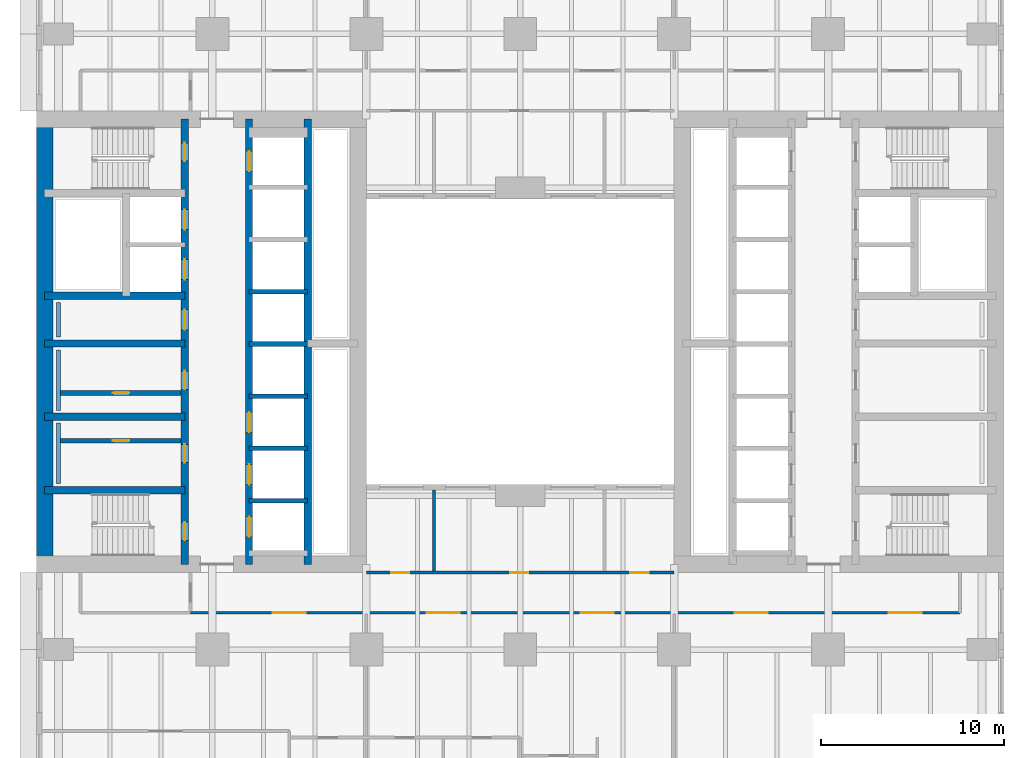
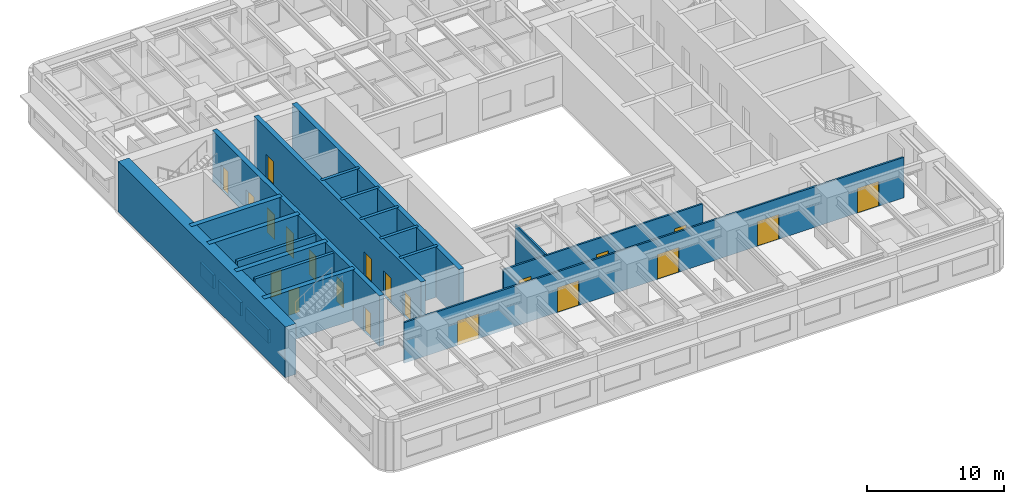
# One storey, part 4 of 13: 21 doors, 21 walls, 21 openings.
"""IFC4 building model written with IfcOpenShell, lengths in metres."""

from ifc_helpers import new_model, si_unit, direction, frame, frame_2d, origin, place, context, subcontext, project, spatial, rectangle, extrude, material, layer, layer_set, type_object, element, fill, save


model = new_model("IFC4")

# Units and contexts
model_context = context("Model", 3, precision=1e-05, world=origin(), true_north=direction((0.0, 1.0)))
body_context = subcontext(model_context, "Body", "Model", "MODEL_VIEW")
ifc_project = project(units=[si_unit("LENGTHUNIT", "METRE"), si_unit("AREAUNIT", "SQUARE_METRE"), si_unit("VOLUMEUNIT", "CUBIC_METRE"), si_unit("PLANEANGLEUNIT", "RADIAN"), si_unit("MASSUNIT", "GRAM", prefix="KILO")], contexts=[model_context])

# Site, building, storey
site_placement = place(None, origin())
site = spatial("IfcSite", under=ifc_project, at=site_placement, CompositionType="ELEMENT")
building_placement = place(site_placement, origin())
building = spatial("IfcBuilding", under=site, at=building_placement, Name="Claustro Exchange Tower", CompositionType="ELEMENT")
storey_placement = place(building_placement, frame((0.0, 0.0, 86.39990234375)))
storey = spatial("IfcBuildingStorey", under=building, at=storey_placement, Name="L19", CompositionType="ELEMENT", Elevation=86.39990234375)

# Wall, openings, doors
ifc_material_1 = material(Name="Gypsum board on steel studs", Category="steel")
ifc_layer_1 = layer(ifc_material_1, 0.14990234375)
ifc_layer_set_1 = layer_set([ifc_layer_1], Name="Gypsum board on steel studs")
wall_type_1 = type_object("IfcWallType", Name="P1 150 plasterboard partition", PredefinedType="PARTITIONING", material=ifc_layer_set_1)
wall_1_placement = place(storey_placement, frame((7.197998046875, 10.39990234375, 0.0), z_axis=(0.0, 0.0, 1.0), x_axis=(1.0, 0.0, 0.0)))
wall_1 = element("IfcWall", 1, at=wall_1_placement, inside=storey, type_object=wall_type_1, Name="Partition P1 L19", PredefinedType="PARTITIONING", context=body_context, shape_type="SweptSolid", body=[
    extrude(rectangle(XDim=42.001953125, YDim=0.14990234375, at=frame_2d((21.0009765625, 0.0))), origin(), (0.0, 0.0, 1.0), 3.60009765625),
])
opening_1_placement = place(wall_1_placement, frame((4.501953125, 0.0, 0.0)))
opening_1 = element("IfcOpeningElement", 2, at=opening_1_placement, cuts=wall_1, Name="Opening D2", PredefinedType="OPENING", context=body_context, shape_type="SweptSolid", body=[
    extrude(rectangle(XDim=1.800048828125, YDim=2.199951171875, at=frame_2d((0.89990234375, 1.10009765625))), frame((0.0, 0.0849609375, 0.0), z_axis=(0.0, -1.0, 0.0), x_axis=(1.0, 0.0, 0.0)), (0.0, 0.0, 1.0), 0.169921875),
])
opening_2_placement = place(wall_1_placement, frame((12.902099609375, 0.0, 0.0)))
opening_2 = element("IfcOpeningElement", 3, at=opening_2_placement, cuts=wall_1, Name="Opening D2", PredefinedType="OPENING", context=body_context, shape_type="SweptSolid", body=[
    extrude(rectangle(XDim=1.800048828125, YDim=2.199951171875, at=frame_2d((0.89990234375, 1.10009765625))), frame((0.0, 0.0849609375, 0.0), z_axis=(0.0, -1.0, 0.0), x_axis=(1.0, 0.0, 0.0)), (0.0, 0.0, 1.0), 0.169921875),
])
opening_3_placement = place(wall_1_placement, frame((21.302001953125, 0.0, 0.0)))
opening_3 = element("IfcOpeningElement", 4, at=opening_3_placement, cuts=wall_1, Name="Opening D2", PredefinedType="OPENING", context=body_context, shape_type="SweptSolid", body=[
    extrude(rectangle(XDim=1.800048828125, YDim=2.199951171875, at=frame_2d((0.89990234375, 1.10009765625))), frame((0.0, 0.0849609375, 0.0), z_axis=(0.0, -1.0, 0.0), x_axis=(1.0, 0.0, 0.0)), (0.0, 0.0, 1.0), 0.169921875),
])
opening_4_placement = place(wall_1_placement, frame((29.701904296875, 0.0, 0.0)))
opening_4 = element("IfcOpeningElement", 5, at=opening_4_placement, cuts=wall_1, Name="Opening D2", PredefinedType="OPENING", context=body_context, shape_type="SweptSolid", body=[
    extrude(rectangle(XDim=1.800048828125, YDim=2.199951171875, at=frame_2d((0.89990234375, 1.10009765625))), frame((0.0, 0.0849609375, 0.0), z_axis=(0.0, -1.0, 0.0), x_axis=(1.0, 0.0, 0.0)), (0.0, 0.0, 1.0), 0.169921875),
])
opening_5_placement = place(wall_1_placement, frame((38.10205078125, 0.0, 0.0)))
opening_5 = element("IfcOpeningElement", 6, at=opening_5_placement, cuts=wall_1, Name="Opening D2", PredefinedType="OPENING", context=body_context, shape_type="SweptSolid", body=[
    extrude(rectangle(XDim=1.800048828125, YDim=2.199951171875, at=frame_2d((0.89990234375, 1.10009765625))), frame((0.0, 0.0849609375, 0.0), z_axis=(0.0, -1.0, 0.0), x_axis=(1.0, 0.0, 0.0)), (0.0, 0.0, 1.0), 0.169921875),
])
ifc_material_2 = material(Name="Timber door, oak veneer", Category="wood")
door_type_1 = type_object("IfcDoorType", Name="D2 1800 x 2200 double door", OperationType="DOUBLE_DOOR_SINGLE_SWING", PredefinedType="DOOR", material=ifc_material_2)
door_1_placement = place(opening_1_placement, frame((1.800048828125, 0.0, 0.0), z_axis=(0.0, 0.0, 1.0), x_axis=(-1.0, 0.0, 0.0)))
door_1 = element("IfcDoor", 7, at=door_1_placement, inside=storey, type_object=door_type_1, Name="Double door D2 L19", OperationType="DOUBLE_DOOR_SINGLE_SWING", OverallHeight=2.199951171875, OverallWidth=1.800048828125, PredefinedType="DOOR", context=body_context, shape_type="SweptSolid", body=[
    extrude(rectangle(XDim=1.800048828125, YDim=2.199951171875, at=frame_2d((0.89990234375, 1.10009765625))), frame((0.0, 0.02490234375, 0.0), z_axis=(0.0, -1.0, 0.0), x_axis=(1.0, 0.0, 0.0)), (0.0, 0.0, 1.0), 0.050048828125),
])
fill(opening_1, door_1)
door_2_placement = place(opening_2_placement, frame((1.800048828125, 0.0, 0.0), z_axis=(0.0, 0.0, 1.0), x_axis=(-1.0, 0.0, 0.0)))
door_2 = element("IfcDoor", 8, at=door_2_placement, inside=storey, type_object=door_type_1, Name="Double door D2 L19", OperationType="DOUBLE_DOOR_SINGLE_SWING", OverallHeight=2.199951171875, OverallWidth=1.800048828125, PredefinedType="DOOR", context=body_context, shape_type="SweptSolid", body=[
    extrude(rectangle(XDim=1.800048828125, YDim=2.199951171875, at=frame_2d((0.89990234375, 1.10009765625))), frame((0.0, 0.02490234375, 0.0), z_axis=(0.0, -1.0, 0.0), x_axis=(1.0, 0.0, 0.0)), (0.0, 0.0, 1.0), 0.050048828125),
])
fill(opening_2, door_2)
door_3_placement = place(opening_3_placement, frame((1.800048828125, 0.0, 0.0), z_axis=(0.0, 0.0, 1.0), x_axis=(-1.0, 0.0, 0.0)))
door_3 = element("IfcDoor", 9, at=door_3_placement, inside=storey, type_object=door_type_1, Name="Double door D2 L19", OperationType="DOUBLE_DOOR_SINGLE_SWING", OverallHeight=2.199951171875, OverallWidth=1.800048828125, PredefinedType="DOOR", context=body_context, shape_type="SweptSolid", body=[
    extrude(rectangle(XDim=1.800048828125, YDim=2.199951171875, at=frame_2d((0.89990234375, 1.10009765625))), frame((0.0, 0.02490234375, 0.0), z_axis=(0.0, -1.0, 0.0), x_axis=(1.0, 0.0, 0.0)), (0.0, 0.0, 1.0), 0.050048828125),
])
fill(opening_3, door_3)
door_4_placement = place(opening_4_placement, frame((1.800048828125, 0.0, 0.0), z_axis=(0.0, 0.0, 1.0), x_axis=(-1.0, 0.0, 0.0)))
door_4 = element("IfcDoor", 10, at=door_4_placement, inside=storey, type_object=door_type_1, Name="Double door D2 L19", OperationType="DOUBLE_DOOR_SINGLE_SWING", OverallHeight=2.199951171875, OverallWidth=1.800048828125, PredefinedType="DOOR", context=body_context, shape_type="SweptSolid", body=[
    extrude(rectangle(XDim=1.800048828125, YDim=2.199951171875, at=frame_2d((0.89990234375, 1.10009765625))), frame((0.0, 0.02490234375, 0.0), z_axis=(0.0, -1.0, 0.0), x_axis=(1.0, 0.0, 0.0)), (0.0, 0.0, 1.0), 0.050048828125),
])
fill(opening_4, door_4)
door_5_placement = place(opening_5_placement, frame((1.800048828125, 0.0, 0.0), z_axis=(0.0, 0.0, 1.0), x_axis=(-1.0, 0.0, 0.0)))
door_5 = element("IfcDoor", 11, at=door_5_placement, inside=storey, type_object=door_type_1, Name="Double door D2 L19", OperationType="DOUBLE_DOOR_SINGLE_SWING", OverallHeight=2.199951171875, OverallWidth=1.800048828125, PredefinedType="DOOR", context=body_context, shape_type="SweptSolid", body=[
    extrude(rectangle(XDim=1.800048828125, YDim=2.199951171875, at=frame_2d((0.89990234375, 1.10009765625))), frame((0.0, 0.02490234375, 0.0), z_axis=(0.0, -1.0, 0.0), x_axis=(1.0, 0.0, 0.0)), (0.0, 0.0, 1.0), 0.050048828125),
])
fill(opening_5, door_5)

# Wall
wall_2_placement = place(storey_placement, frame((20.5, 12.674072265625, 0.0), z_axis=(0.0, 0.0, 1.0), x_axis=(0.0, 1.0, 0.0)))
element("IfcWall", 12, at=wall_2_placement, inside=storey, type_object=wall_type_1, Name="Partition P1 L19", PredefinedType="PARTITIONING", context=body_context, shape_type="SweptSolid", body=[
    extrude(rectangle(XDim=4.427978515625, YDim=0.14990234375, at=frame_2d((2.2138671875, 0.0))), origin(), (0.0, 0.0, 1.0), 3.610107421875),
])

# Wall, openings, doors
wall_3_placement = place(storey_placement, frame((16.820068359375, 12.60009765625, 0.0), z_axis=(0.0, 0.0, 1.0), x_axis=(1.0, 0.0, 0.0)))
wall_3 = element("IfcWall", 13, at=wall_3_placement, inside=storey, type_object=wall_type_1, Name="Partition P1 L19", PredefinedType="PARTITIONING", context=body_context, shape_type="SweptSolid", body=[
    extrude(rectangle(XDim=16.760009765625, YDim=0.14990234375, at=frame_2d((8.3798828125, 0.0))), origin(), (0.0, 0.0, 1.0), 3.60009765625),
])
opening_6_placement = place(wall_3_placement, frame((1.330078125, 0.0, 0.0)))
opening_6 = element("IfcOpeningElement", 14, at=opening_6_placement, cuts=wall_3, Name="Opening D1", PredefinedType="OPENING", context=body_context, shape_type="SweptSolid", body=[
    extrude(rectangle(XDim=1.0, YDim=2.199951171875, at=frame_2d((0.5, 1.10009765625))), frame((0.0, 0.0849609375, 0.0), z_axis=(0.0, -1.0, 0.0), x_axis=(1.0, 0.0, 0.0)), (0.0, 0.0, 1.0), 0.169921875),
])
opening_7_placement = place(wall_3_placement, frame((7.830078125, 0.0, 0.0)))
opening_7 = element("IfcOpeningElement", 15, at=opening_7_placement, cuts=wall_3, Name="Opening D1", PredefinedType="OPENING", context=body_context, shape_type="SweptSolid", body=[
    extrude(rectangle(XDim=1.0, YDim=2.199951171875, at=frame_2d((0.5, 1.10009765625))), frame((0.0, 0.0849609375, 0.0), z_axis=(0.0, -1.0, 0.0), x_axis=(1.0, 0.0, 0.0)), (0.0, 0.0, 1.0), 0.169921875),
])
opening_8_placement = place(wall_3_placement, frame((14.3798828125, 0.0, 0.0)))
opening_8 = element("IfcOpeningElement", 16, at=opening_8_placement, cuts=wall_3, Name="Opening D1", PredefinedType="OPENING", context=body_context, shape_type="SweptSolid", body=[
    extrude(rectangle(XDim=1.0, YDim=2.199951171875, at=frame_2d((0.5, 1.10009765625))), frame((0.0, 0.0849609375, 0.0), z_axis=(0.0, -1.0, 0.0), x_axis=(1.0, 0.0, 0.0)), (0.0, 0.0, 1.0), 0.169921875),
])
ifc_material_3 = material(Name="Timber door, oak veneer", Category="wood")
door_type_2 = type_object("IfcDoorType", Name="D1 1000 x 2200 single door", OperationType="SINGLE_SWING_LEFT", PredefinedType="DOOR", material=ifc_material_3)
door_6_placement = place(opening_6_placement, origin())
door_6 = element("IfcDoor", 17, at=door_6_placement, inside=storey, type_object=door_type_2, Name="Door D1 L19", OperationType="SINGLE_SWING_LEFT", OverallHeight=2.199951171875, OverallWidth=1.0, PredefinedType="DOOR", context=body_context, shape_type="SweptSolid", body=[
    extrude(rectangle(XDim=1.0, YDim=2.199951171875, at=frame_2d((0.5, 1.10009765625))), frame((0.0, 0.02490234375, 0.0), z_axis=(0.0, -1.0, 0.0), x_axis=(1.0, 0.0, 0.0)), (0.0, 0.0, 1.0), 0.050048828125),
])
fill(opening_6, door_6)
door_7_placement = place(opening_7_placement, origin())
door_7 = element("IfcDoor", 18, at=door_7_placement, inside=storey, type_object=door_type_2, Name="Door D1 L19", OperationType="SINGLE_SWING_LEFT", OverallHeight=2.199951171875, OverallWidth=1.0, PredefinedType="DOOR", context=body_context, shape_type="SweptSolid", body=[
    extrude(rectangle(XDim=1.0, YDim=2.199951171875, at=frame_2d((0.5, 1.10009765625))), frame((0.0, 0.02490234375, 0.0), z_axis=(0.0, -1.0, 0.0), x_axis=(1.0, 0.0, 0.0)), (0.0, 0.0, 1.0), 0.050048828125),
])
fill(opening_7, door_7)
door_8_placement = place(opening_8_placement, origin())
door_8 = element("IfcDoor", 19, at=door_8_placement, inside=storey, type_object=door_type_2, Name="Door D1 L19", OperationType="SINGLE_SWING_LEFT", OverallHeight=2.199951171875, OverallWidth=1.0, PredefinedType="DOOR", context=body_context, shape_type="SweptSolid", body=[
    extrude(rectangle(XDim=1.0, YDim=2.199951171875, at=frame_2d((0.5, 1.10009765625))), frame((0.0, 0.02490234375, 0.0), z_axis=(0.0, -1.0, 0.0), x_axis=(1.0, 0.0, 0.0)), (0.0, 0.0, 1.0), 0.050048828125),
])
fill(opening_8, door_8)

# Wall, opening, door
ifc_material_4 = material(Name="Concrete blockwork, rendered", Category="masonry")
ifc_layer_2 = layer(ifc_material_4, 0.25)
ifc_layer_set_2 = layer_set([ifc_layer_2], Name="Concrete blockwork, rendered")
wall_type_2 = type_object("IfcWallType", Name="P4 250 blockwork wall", PredefinedType="PARTITIONING", material=ifc_layer_set_2)
wall_4_placement = place(storey_placement, frame((0.10009765625, 22.39990234375, 0.0), z_axis=(0.0, 0.0, 1.0), x_axis=(1.0, 0.0, 0.0)))
wall_4 = element("IfcWall", 20, at=wall_4_placement, inside=storey, type_object=wall_type_2, Name="Partition P4 L19", PredefinedType="PARTITIONING", context=body_context, shape_type="SweptSolid", body=[
    extrude(rectangle(XDim=6.599853515625, YDim=0.25, at=frame_2d((3.2998046875, 0.0))), origin(), (0.0, 0.0, 1.0), 4.300048828125),
])
opening_9_placement = place(wall_4_placement, frame((2.875, 0.0, 0.0)))
opening_9 = element("IfcOpeningElement", 21, at=opening_9_placement, cuts=wall_4, Name="Opening D5", PredefinedType="OPENING", context=body_context, shape_type="SweptSolid", body=[
    extrude(rectangle(XDim=0.89990234375, YDim=2.199951171875, at=frame_2d((0.449951171875, 1.10009765625))), frame((0.0, 0.135009765625, 0.0), z_axis=(0.0, -1.0, 0.0), x_axis=(1.0, 0.0, 0.0)), (0.0, 0.0, 1.0), 0.27001953125),
])
ifc_material_5 = material(Name="Steel door, painted", Category="steel")
door_type_3 = type_object("IfcDoorType", Name="D5 900 x 2200 store door", OperationType="SINGLE_SWING_LEFT", PredefinedType="DOOR", material=ifc_material_5)
door_9_placement = place(opening_9_placement, frame((0.89990234375, 0.0, 0.0), z_axis=(0.0, 0.0, 1.0), x_axis=(-1.0, 0.0, 0.0)))
door_9 = element("IfcDoor", 22, at=door_9_placement, inside=storey, type_object=door_type_3, Name="Store door D5 L19", OperationType="SINGLE_SWING_RIGHT", OverallHeight=2.199951171875, OverallWidth=0.89990234375, PredefinedType="DOOR", context=body_context, shape_type="SweptSolid", body=[
    extrude(rectangle(XDim=0.89990234375, YDim=2.199951171875, at=frame_2d((0.449951171875, 1.10009765625))), frame((0.0, 0.02490234375, 0.0), z_axis=(0.0, -1.0, 0.0), x_axis=(1.0, 0.0, 0.0)), (0.0, 0.0, 1.0), 0.050048828125),
])
fill(opening_9, door_9)

wall_5_placement = place(storey_placement, frame((0.10009765625, 19.800048828125, 0.0), z_axis=(0.0, 0.0, 1.0), x_axis=(1.0, 0.0, 0.0)))
wall_5 = element("IfcWall", 23, at=wall_5_placement, inside=storey, type_object=wall_type_2, Name="Partition P4 L19", PredefinedType="PARTITIONING", context=body_context, shape_type="SweptSolid", body=[
    extrude(rectangle(XDim=6.599853515625, YDim=0.25, at=frame_2d((3.2998046875, 0.0))), origin(), (0.0, 0.0, 1.0), 4.300048828125),
])
opening_10_placement = place(wall_5_placement, frame((2.875, 0.0, 0.0)))
opening_10 = element("IfcOpeningElement", 24, at=opening_10_placement, cuts=wall_5, Name="Opening D5", PredefinedType="OPENING", context=body_context, shape_type="SweptSolid", body=[
    extrude(rectangle(XDim=0.89990234375, YDim=2.199951171875, at=frame_2d((0.449951171875, 1.10009765625))), frame((0.0, 0.135009765625, 0.0), z_axis=(0.0, -1.0, 0.0), x_axis=(1.0, 0.0, 0.0)), (0.0, 0.0, 1.0), 0.27001953125),
])
door_10_placement = place(opening_10_placement, origin())
door_10 = element("IfcDoor", 25, at=door_10_placement, inside=storey, type_object=door_type_3, Name="Store door D5 L19", OperationType="SINGLE_SWING_LEFT", OverallHeight=2.199951171875, OverallWidth=0.89990234375, PredefinedType="DOOR", context=body_context, shape_type="SweptSolid", body=[
    extrude(rectangle(XDim=0.89990234375, YDim=2.199951171875, at=frame_2d((0.449951171875, 1.10009765625))), frame((0.0, 0.02490234375, 0.0), z_axis=(0.0, -1.0, 0.0), x_axis=(1.0, 0.0, 0.0)), (0.0, 0.0, 1.0), 0.050048828125),
])
fill(opening_10, door_10)

# Walls
ifc_material_6 = material(Name="Gypsum board on steel studs, tiled", Category="steel")
ifc_layer_3 = layer(ifc_material_6, 0.199951171875)
ifc_layer_set_3 = layer_set([ifc_layer_3], Name="Gypsum board on steel studs, tiled")
wall_type_3 = type_object("IfcWallType", Name="PW1 200 WC duct wall", PredefinedType="PLUMBINGWALL", material=ifc_layer_set_3)
for number, where, z_axis, x_axis, name in (
    (26, (0.0, 17.449951171875, 0.0), (0.0, 0.0, 1.0), (0.0, 1.0, 0.0), "WC duct wall PW1 L19"),
    (27, (0.0, 21.449951171875, 0.0), (0.0, 0.0, 1.0), (0.0, 1.0, 0.0), "WC duct wall PW1 L19"),
):
    element("IfcWall", number, at=place(storey_placement, frame(where, z_axis=z_axis, x_axis=x_axis)), inside=storey, type_object=wall_type_3, Name=name, PredefinedType="PLUMBINGWALL", context=body_context, shape_type="SweptSolid", body=[
        extrude(rectangle(XDim=3.300048828125, YDim=0.199951171875, at=frame_2d((1.64990234375, 0.0))), origin(), (0.0, 0.0, 1.0), 1.2001953125),
    ])
wall_6_placement = place(storey_placement, frame((0.0, 25.449951171875, 0.0), z_axis=(0.0, 0.0, 1.0), x_axis=(0.0, 1.0, 0.0)))
element("IfcWall", 28, at=wall_6_placement, inside=storey, type_object=wall_type_3, Name="WC duct wall PW1 L19", PredefinedType="PLUMBINGWALL", context=body_context, shape_type="SweptSolid", body=[
    extrude(rectangle(XDim=1.900146484375, YDim=0.199951171875, at=frame_2d((0.9501953125, 0.0))), origin(), (0.0, 0.0, 1.0), 1.2001953125),
])
ifc_material_7 = material(Name="Concrete HA-70 (C70/85)", Category="concrete")
ifc_layer_4 = layer(ifc_material_7, 0.89990234375)
ifc_layer_set_4 = layer_set([ifc_layer_4], Name="Concrete HA-70 (C70/85)")
wall_type_4 = type_object("IfcWallType", Name="SW1X 900 exposed core shear wall, board-marked face", PredefinedType="SHEAR", material=ifc_layer_set_4)
wall_7_placement = place(storey_placement, frame((-0.75, 13.050048828125, 0.0), z_axis=(0.0, 0.0, 1.0), x_axis=(0.0, 1.0, 0.0)))
element("IfcWall", 29, at=wall_7_placement, inside=storey, type_object=wall_type_4, Name="Core wall SW1X W core W face L19", PredefinedType="SHEAR", context=body_context, shape_type="SweptSolid", body=[
    extrude(rectangle(XDim=24.300048828125, YDim=0.89990234375, at=frame_2d((12.14990234375, 0.0))), origin(), (0.0, 0.0, 1.0), 4.5),
])

# Wall, openings, doors
ifc_material_8 = material(Name="Concrete HA-50 (C50/60)", Category="concrete")
ifc_layer_5 = layer(ifc_material_8, 0.39990234375)
ifc_layer_set_5 = layer_set([ifc_layer_5], Name="Concrete HA-50 (C50/60)")
wall_type_5 = type_object("IfcWallType", Name="SW4 400 internal core wall", PredefinedType="SHEAR", material=ifc_layer_set_5)
wall_8_placement = place(storey_placement, frame((6.89990234375, 13.050048828125, 0.0), z_axis=(0.0, 0.0, 1.0), x_axis=(0.0, 1.0, 0.0)))
wall_8 = element("IfcWall", 30, at=wall_8_placement, inside=storey, type_object=wall_type_5, Name="Internal core wall SW4 W core L19", PredefinedType="SHEAR", context=body_context, shape_type="SweptSolid", body=[
    extrude(rectangle(XDim=24.300048828125, YDim=0.39990234375, at=frame_2d((12.14990234375, 0.0))), origin(), (0.0, 0.0, 1.0), 4.5),
])
opening_11_placement = place(wall_8_placement, frame((1.300048828125, 0.0, 0.0)))
opening_11 = element("IfcOpeningElement", 31, at=opening_11_placement, cuts=wall_8, Name="Opening D4", PredefinedType="OPENING", context=body_context, shape_type="SweptSolid", body=[
    extrude(rectangle(XDim=1.0, YDim=2.199951171875, at=frame_2d((0.5, 1.10009765625))), frame((0.0, 0.2099609375, 0.0), z_axis=(0.0, -1.0, 0.0), x_axis=(1.0, 0.0, 0.0)), (0.0, 0.0, 1.0), 0.419921875),
])
opening_12_placement = place(wall_8_placement, frame((22.0, 0.0, 0.0)))
opening_12 = element("IfcOpeningElement", 32, at=opening_12_placement, cuts=wall_8, Name="Opening D4", PredefinedType="OPENING", context=body_context, shape_type="SweptSolid", body=[
    extrude(rectangle(XDim=1.0, YDim=2.199951171875, at=frame_2d((0.5, 1.10009765625))), frame((0.0, 0.2099609375, 0.0), z_axis=(0.0, -1.0, 0.0), x_axis=(1.0, 0.0, 0.0)), (0.0, 0.0, 1.0), 0.419921875),
])
opening_13_placement = place(wall_8_placement, frame((5.550048828125, 0.0, 0.0)))
opening_13 = element("IfcOpeningElement", 33, at=opening_13_placement, cuts=wall_8, Name="Opening D1", PredefinedType="OPENING", context=body_context, shape_type="SweptSolid", body=[
    extrude(rectangle(XDim=1.0, YDim=2.199951171875, at=frame_2d((0.5, 1.10009765625))), frame((0.0, 0.2099609375, 0.0), z_axis=(0.0, -1.0, 0.0), x_axis=(1.0, 0.0, 0.0)), (0.0, 0.0, 1.0), 0.419921875),
])
opening_14_placement = place(wall_8_placement, frame((9.550048828125, 0.0, 0.0)))
opening_14 = element("IfcOpeningElement", 34, at=opening_14_placement, cuts=wall_8, Name="Opening D1", PredefinedType="OPENING", context=body_context, shape_type="SweptSolid", body=[
    extrude(rectangle(XDim=1.0, YDim=2.199951171875, at=frame_2d((0.5, 1.10009765625))), frame((0.0, 0.2099609375, 0.0), z_axis=(0.0, -1.0, 0.0), x_axis=(1.0, 0.0, 0.0)), (0.0, 0.0, 1.0), 0.419921875),
])
opening_15_placement = place(wall_8_placement, frame((12.800048828125, 0.0, 0.0)))
opening_15 = element("IfcOpeningElement", 35, at=opening_15_placement, cuts=wall_8, Name="Opening D10", PredefinedType="OPENING", context=body_context, shape_type="SweptSolid", body=[
    extrude(rectangle(XDim=1.10009765625, YDim=2.199951171875, at=frame_2d((0.550048828125, 1.10009765625))), frame((0.0, 0.2099609375, 0.0), z_axis=(0.0, -1.0, 0.0), x_axis=(1.0, 0.0, 0.0)), (0.0, 0.0, 1.0), 0.419921875),
])
opening_16_placement = place(wall_8_placement, frame((15.53759765625, 0.0, 0.0)))
opening_16 = element("IfcOpeningElement", 36, at=opening_16_placement, cuts=wall_8, Name="Opening LD", PredefinedType="OPENING", context=body_context, shape_type="SweptSolid", body=[
    extrude(rectangle(XDim=1.10009765625, YDim=2.199951171875, at=frame_2d((0.550048828125, 1.10009765625))), frame((0.0, 0.2099609375, 0.0), z_axis=(0.0, -1.0, 0.0), x_axis=(1.0, 0.0, 0.0)), (0.0, 0.0, 1.0), 0.419921875),
])
opening_17_placement = place(wall_8_placement, frame((18.262451171875, 0.0, 0.0)))
opening_17 = element("IfcOpeningElement", 37, at=opening_17_placement, cuts=wall_8, Name="Opening LD", PredefinedType="OPENING", context=body_context, shape_type="SweptSolid", body=[
    extrude(rectangle(XDim=1.10009765625, YDim=2.199951171875, at=frame_2d((0.550048828125, 1.10009765625))), frame((0.0, 0.2099609375, 0.0), z_axis=(0.0, -1.0, 0.0), x_axis=(1.0, 0.0, 0.0)), (0.0, 0.0, 1.0), 0.419921875),
])
door_11_placement = place(opening_13_placement, origin())
door_11 = element("IfcDoor", 38, at=door_11_placement, inside=storey, type_object=door_type_2, Name="Door D1 L19", OperationType="SINGLE_SWING_RIGHT", OverallHeight=2.199951171875, OverallWidth=1.0, PredefinedType="DOOR", context=body_context, shape_type="SweptSolid", body=[
    extrude(rectangle(XDim=1.0, YDim=2.199951171875, at=frame_2d((0.5, 1.10009765625))), frame((0.0, 0.02490234375, 0.0), z_axis=(0.0, -1.0, 0.0), x_axis=(1.0, 0.0, 0.0)), (0.0, 0.0, 1.0), 0.050048828125),
])
fill(opening_13, door_11)
door_12_placement = place(opening_14_placement, origin())
door_12 = element("IfcDoor", 39, at=door_12_placement, inside=storey, type_object=door_type_2, Name="Door D1 L19", OperationType="SINGLE_SWING_LEFT", OverallHeight=2.199951171875, OverallWidth=1.0, PredefinedType="DOOR", context=body_context, shape_type="SweptSolid", body=[
    extrude(rectangle(XDim=1.0, YDim=2.199951171875, at=frame_2d((0.5, 1.10009765625))), frame((0.0, 0.02490234375, 0.0), z_axis=(0.0, -1.0, 0.0), x_axis=(1.0, 0.0, 0.0)), (0.0, 0.0, 1.0), 0.050048828125),
])
fill(opening_14, door_12)
ifc_material_9 = material(Name="Timber door, oak veneer", Category="wood")
door_type_4 = type_object("IfcDoorType", Name="D10 1100 x 2200 accessible WC door", OperationType="SINGLE_SWING_LEFT", PredefinedType="DOOR", material=ifc_material_9)
door_13_placement = place(opening_15_placement, frame((1.10009765625, 0.0, 0.0), z_axis=(0.0, 0.0, 1.0), x_axis=(-1.0, 0.0, 0.0)))
door_13 = element("IfcDoor", 40, at=door_13_placement, inside=storey, type_object=door_type_4, Name="Accessible WC door D10 L19", OperationType="SINGLE_SWING_LEFT", OverallHeight=2.199951171875, OverallWidth=1.10009765625, PredefinedType="DOOR", context=body_context, shape_type="SweptSolid", body=[
    extrude(rectangle(XDim=1.10009765625, YDim=2.199951171875, at=frame_2d((0.550048828125, 1.10009765625))), frame((0.0, 0.02490234375, 0.0), z_axis=(0.0, -1.0, 0.0), x_axis=(1.0, 0.0, 0.0)), (0.0, 0.0, 1.0), 0.050048828125),
])
fill(opening_15, door_13)
ifc_material_10 = material(Name="Steel fire door, painted", Category="steel")
door_type_5 = type_object("IfcDoorType", Name="D4 1000 x 2200 fire-rated stair door", OperationType="SINGLE_SWING_LEFT", PredefinedType="DOOR", material=ifc_material_10)
door_14_placement = place(opening_11_placement, origin())
door_14 = element("IfcDoor", 41, at=door_14_placement, inside=storey, type_object=door_type_5, Name="Stair door D4 L19", OperationType="SINGLE_SWING_LEFT", OverallHeight=2.199951171875, OverallWidth=1.0, PredefinedType="DOOR", context=body_context, shape_type="SweptSolid", body=[
    extrude(rectangle(XDim=1.0, YDim=2.199951171875, at=frame_2d((0.5, 1.10009765625))), frame((0.0, 0.02490234375, 0.0), z_axis=(0.0, -1.0, 0.0), x_axis=(1.0, 0.0, 0.0)), (0.0, 0.0, 1.0), 0.050048828125),
])
fill(opening_11, door_14)
door_15_placement = place(opening_12_placement, origin())
door_15 = element("IfcDoor", 42, at=door_15_placement, inside=storey, type_object=door_type_5, Name="Stair door D4 L19", OperationType="SINGLE_SWING_RIGHT", OverallHeight=2.199951171875, OverallWidth=1.0, PredefinedType="DOOR", context=body_context, shape_type="SweptSolid", body=[
    extrude(rectangle(XDim=1.0, YDim=2.199951171875, at=frame_2d((0.5, 1.10009765625))), frame((0.0, 0.02490234375, 0.0), z_axis=(0.0, -1.0, 0.0), x_axis=(1.0, 0.0, 0.0)), (0.0, 0.0, 1.0), 0.050048828125),
])
fill(opening_12, door_15)
ifc_material_11 = material(Name="Stainless steel sliding door", Category="steel")
door_type_6 = type_object("IfcDoorType", Name="LD 1100 x 2200 lift landing door", OperationType="DOUBLE_DOOR_SLIDING", PredefinedType="DOOR", material=ifc_material_11)
door_16_placement = place(opening_16_placement, origin())
door_16 = element("IfcDoor", 43, at=door_16_placement, inside=storey, type_object=door_type_6, Name="Lift landing door LEW1 LD L19", OperationType="DOUBLE_DOOR_SLIDING", OverallHeight=2.199951171875, OverallWidth=1.10009765625, PredefinedType="DOOR", context=body_context, shape_type="SweptSolid", body=[
    extrude(rectangle(XDim=1.10009765625, YDim=2.199951171875, at=frame_2d((0.550048828125, 1.10009765625))), frame((0.0, 0.02490234375, 0.0), z_axis=(0.0, -1.0, 0.0), x_axis=(1.0, 0.0, 0.0)), (0.0, 0.0, 1.0), 0.050048828125),
])
fill(opening_16, door_16)
door_17_placement = place(opening_17_placement, origin())
door_17 = element("IfcDoor", 44, at=door_17_placement, inside=storey, type_object=door_type_6, Name="Lift landing door LEW2 LD L19", OperationType="DOUBLE_DOOR_SLIDING", OverallHeight=2.199951171875, OverallWidth=1.10009765625, PredefinedType="DOOR", context=body_context, shape_type="SweptSolid", body=[
    extrude(rectangle(XDim=1.10009765625, YDim=2.199951171875, at=frame_2d((0.550048828125, 1.10009765625))), frame((0.0, 0.02490234375, 0.0), z_axis=(0.0, -1.0, 0.0), x_axis=(1.0, 0.0, 0.0)), (0.0, 0.0, 1.0), 0.050048828125),
])
fill(opening_17, door_17)

wall_9_placement = place(storey_placement, frame((10.39990234375, 13.050048828125, 0.0), z_axis=(0.0, 0.0, 1.0), x_axis=(0.0, 1.0, 0.0)))
wall_9 = element("IfcWall", 45, at=wall_9_placement, inside=storey, type_object=wall_type_5, Name="Internal core wall SW4 W core L19", PredefinedType="SHEAR", context=body_context, shape_type="SweptSolid", body=[
    extrude(rectangle(XDim=24.300048828125, YDim=0.39990234375, at=frame_2d((12.14990234375, 0.0))), origin(), (0.0, 0.0, 1.0), 4.5),
])
opening_18_placement = place(wall_9_placement, frame((1.5, 0.0, 0.0)))
opening_18 = element("IfcOpeningElement", 46, at=opening_18_placement, cuts=wall_9, Name="Opening LD", PredefinedType="OPENING", context=body_context, shape_type="SweptSolid", body=[
    extrude(rectangle(XDim=1.10009765625, YDim=2.199951171875, at=frame_2d((0.550048828125, 1.10009765625))), frame((0.0, 0.2099609375, 0.0), z_axis=(0.0, -1.0, 0.0), x_axis=(1.0, 0.0, 0.0)), (0.0, 0.0, 1.0), 0.419921875),
])
opening_19_placement = place(wall_9_placement, frame((4.35009765625, 0.0, 0.0)))
opening_19 = element("IfcOpeningElement", 47, at=opening_19_placement, cuts=wall_9, Name="Opening LD", PredefinedType="OPENING", context=body_context, shape_type="SweptSolid", body=[
    extrude(rectangle(XDim=1.10009765625, YDim=2.199951171875, at=frame_2d((0.550048828125, 1.10009765625))), frame((0.0, 0.2099609375, 0.0), z_axis=(0.0, -1.0, 0.0), x_axis=(1.0, 0.0, 0.0)), (0.0, 0.0, 1.0), 0.419921875),
])
opening_20_placement = place(wall_9_placement, frame((7.199951171875, 0.0, 0.0)))
opening_20 = element("IfcOpeningElement", 48, at=opening_20_placement, cuts=wall_9, Name="Opening LD", PredefinedType="OPENING", context=body_context, shape_type="SweptSolid", body=[
    extrude(rectangle(XDim=1.10009765625, YDim=2.199951171875, at=frame_2d((0.550048828125, 1.10009765625))), frame((0.0, 0.2099609375, 0.0), z_axis=(0.0, -1.0, 0.0), x_axis=(1.0, 0.0, 0.0)), (0.0, 0.0, 1.0), 0.419921875),
])
opening_21_placement = place(wall_9_placement, frame((21.449951171875, 0.0, 0.0)))
opening_21 = element("IfcOpeningElement", 49, at=opening_21_placement, cuts=wall_9, Name="Opening LD", PredefinedType="OPENING", context=body_context, shape_type="SweptSolid", body=[
    extrude(rectangle(XDim=1.10009765625, YDim=2.199951171875, at=frame_2d((0.550048828125, 1.10009765625))), frame((0.0, 0.2099609375, 0.0), z_axis=(0.0, -1.0, 0.0), x_axis=(1.0, 0.0, 0.0)), (0.0, 0.0, 1.0), 0.419921875),
])
door_18_placement = place(opening_18_placement, origin())
door_18 = element("IfcDoor", 50, at=door_18_placement, inside=storey, type_object=door_type_6, Name="Lift landing door LLW1 LD L19", OperationType="DOUBLE_DOOR_SLIDING", OverallHeight=2.199951171875, OverallWidth=1.10009765625, PredefinedType="DOOR", context=body_context, shape_type="SweptSolid", body=[
    extrude(rectangle(XDim=1.10009765625, YDim=2.199951171875, at=frame_2d((0.550048828125, 1.10009765625))), frame((0.0, 0.02490234375, 0.0), z_axis=(0.0, -1.0, 0.0), x_axis=(1.0, 0.0, 0.0)), (0.0, 0.0, 1.0), 0.050048828125),
])
fill(opening_18, door_18)
door_19_placement = place(opening_19_placement, origin())
door_19 = element("IfcDoor", 51, at=door_19_placement, inside=storey, type_object=door_type_6, Name="Lift landing door LLW2 LD L19", OperationType="DOUBLE_DOOR_SLIDING", OverallHeight=2.199951171875, OverallWidth=1.10009765625, PredefinedType="DOOR", context=body_context, shape_type="SweptSolid", body=[
    extrude(rectangle(XDim=1.10009765625, YDim=2.199951171875, at=frame_2d((0.550048828125, 1.10009765625))), frame((0.0, 0.02490234375, 0.0), z_axis=(0.0, -1.0, 0.0), x_axis=(1.0, 0.0, 0.0)), (0.0, 0.0, 1.0), 0.050048828125),
])
fill(opening_19, door_19)
door_20_placement = place(opening_20_placement, origin())
door_20 = element("IfcDoor", 52, at=door_20_placement, inside=storey, type_object=door_type_6, Name="Lift landing door LLW3 LD L19", OperationType="DOUBLE_DOOR_SLIDING", OverallHeight=2.199951171875, OverallWidth=1.10009765625, PredefinedType="DOOR", context=body_context, shape_type="SweptSolid", body=[
    extrude(rectangle(XDim=1.10009765625, YDim=2.199951171875, at=frame_2d((0.550048828125, 1.10009765625))), frame((0.0, 0.02490234375, 0.0), z_axis=(0.0, -1.0, 0.0), x_axis=(1.0, 0.0, 0.0)), (0.0, 0.0, 1.0), 0.050048828125),
])
fill(opening_20, door_20)
door_21_placement = place(opening_21_placement, origin())
door_21 = element("IfcDoor", 53, at=door_21_placement, inside=storey, type_object=door_type_6, Name="Lift landing door LSW1 LD L19", OperationType="DOUBLE_DOOR_SLIDING", OverallHeight=2.199951171875, OverallWidth=1.10009765625, PredefinedType="DOOR", context=body_context, shape_type="SweptSolid", body=[
    extrude(rectangle(XDim=1.10009765625, YDim=2.199951171875, at=frame_2d((0.550048828125, 1.10009765625))), frame((0.0, 0.02490234375, 0.0), z_axis=(0.0, -1.0, 0.0), x_axis=(1.0, 0.0, 0.0)), (0.0, 0.0, 1.0), 0.050048828125),
])
fill(opening_21, door_21)

# Walls
wall_10_placement = place(storey_placement, frame((13.60009765625, 13.050048828125, 0.0), z_axis=(0.0, 0.0, 1.0), x_axis=(0.0, 1.0, 0.0)))
element("IfcWall", 54, at=wall_10_placement, inside=storey, type_object=wall_type_5, Name="Internal core wall SW4 W core L19", PredefinedType="SHEAR", context=body_context, shape_type="SweptSolid", body=[
    extrude(rectangle(XDim=24.300048828125, YDim=0.39990234375, at=frame_2d((12.14990234375, 0.0))), origin(), (0.0, 0.0, 1.0), 4.5),
])
for number, where, z_axis, x_axis, name in (
    (55, (-0.75, 17.10009765625, 0.0), (0.0, 0.0, 1.0), (1.0, 0.0, 0.0), "Internal core wall SW4 W core L19"),
    (56, (-0.75, 21.10009765625, 0.0), (0.0, 0.0, 1.0), (1.0, 0.0, 0.0), "Internal core wall SW4 W core L19"),
    (57, (-0.75, 25.10009765625, 0.0), (0.0, 0.0, 1.0), (1.0, 0.0, 0.0), "Internal core wall SW4 W core L19"),
    (58, (-0.75, 27.699951171875, 0.0), (0.0, 0.0, 1.0), (1.0, 0.0, 0.0), "Internal core wall SW4 W core L19"),
):
    element("IfcWall", number, at=place(storey_placement, frame(where, z_axis=z_axis, x_axis=x_axis)), inside=storey, type_object=wall_type_5, Name=name, PredefinedType="SHEAR", context=body_context, shape_type="SweptSolid", body=[
        extrude(rectangle(XDim=7.64990234375, YDim=0.39990234375, at=frame_2d((3.824951171875, 0.0))), origin(), (0.0, 0.0, 1.0), 4.5),
    ])
ifc_material_12 = material(Name="Concrete HA-50 (C50/60)", Category="concrete")
ifc_layer_6 = layer(ifc_material_12, 0.25)
ifc_layer_set_6 = layer_set([ifc_layer_6], Name="Concrete HA-50 (C50/60)")
wall_type_6 = type_object("IfcWallType", Name="SW5 250 lift shaft divider wall", PredefinedType="SHEAR", material=ifc_layer_set_6)
for number, where, z_axis, x_axis, name in (
    (59, (10.39990234375, 16.52490234375, 0.0), (0.0, 0.0, 1.0), (1.0, 0.0, 0.0), "Lift shaft wall W core L19"),
    (60, (10.39990234375, 19.375, 0.0), (0.0, 0.0, 1.0), (1.0, 0.0, 0.0), "Lift shaft wall W core L19"),
    (61, (10.39990234375, 22.22509765625, 0.0), (0.0, 0.0, 1.0), (1.0, 0.0, 0.0), "Lift shaft wall W core L19"),
    (62, (10.39990234375, 25.074951171875, 0.0), (0.0, 0.0, 1.0), (1.0, 0.0, 0.0), "Lift shaft wall W core L19"),
    (63, (10.39990234375, 27.925048828125, 0.0), (0.0, 0.0, 1.0), (1.0, 0.0, 0.0), "Lift shaft wall W core L19"),
):
    element("IfcWall", number, at=place(storey_placement, frame(where, z_axis=z_axis, x_axis=x_axis)), inside=storey, type_object=wall_type_6, Name=name, PredefinedType="SHEAR", context=body_context, shape_type="SweptSolid", body=[
        extrude(rectangle(XDim=3.2001953125, YDim=0.25, at=frame_2d((1.60009765625, 0.0))), origin(), (0.0, 0.0, 1.0), 4.5),
    ])

save(model, "model.ifc")
